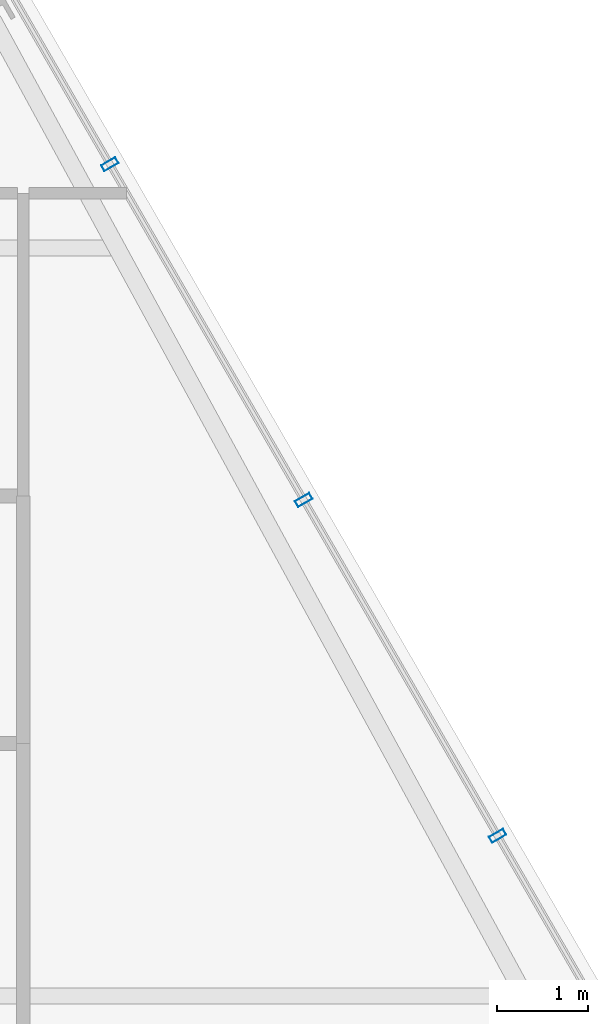
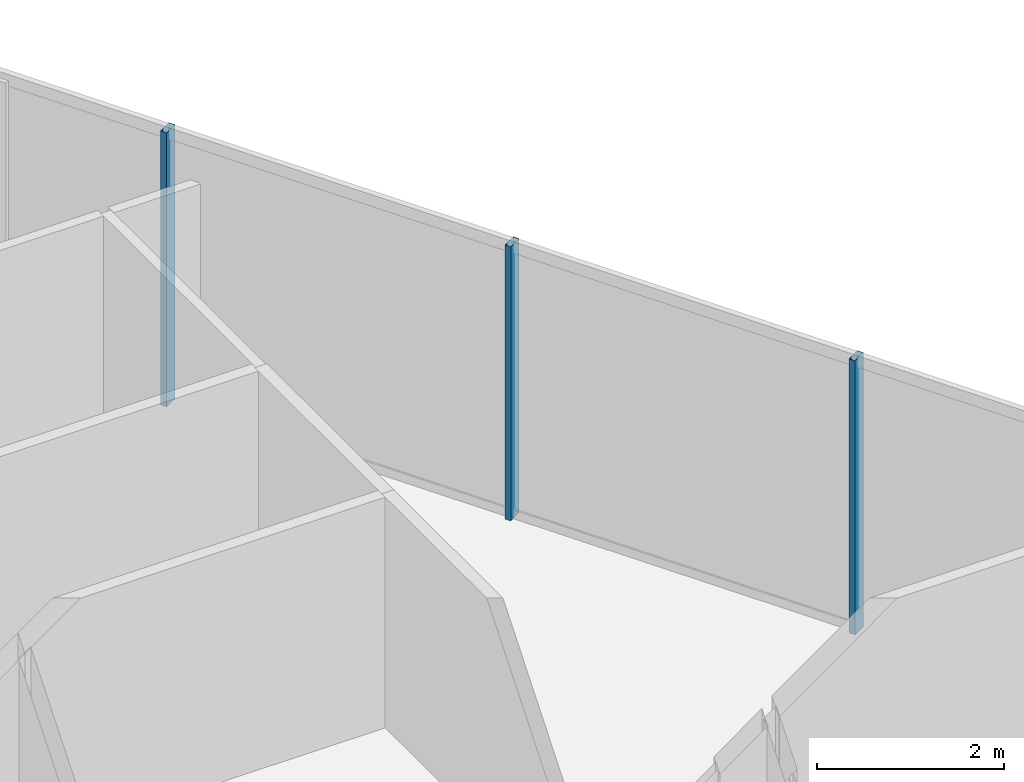
# One storey, part 17 of 34: 3 members, 1 element without a shape of its own.
"""IFC4 building model written with IfcOpenShell, lengths in metres."""

from ifc_helpers import new_model, si_unit, direction, frame, origin, origin_2d, place, context, subcontext, project, spatial, hollow_rectangle, extrude, material, layer, layer_set, material_profile, profile_set, type_object, element, aggregate, save


model = new_model("IFC4")

# Units and contexts
model_context = context("Model", 3, precision=1e-05, world=origin(), true_north=direction((0.0, 1.0)))
body_context = subcontext(model_context, "Body", "Model", "MODEL_VIEW")
ifc_project = project(units=[si_unit("LENGTHUNIT", "METRE"), si_unit("AREAUNIT", "SQUARE_METRE"), si_unit("VOLUMEUNIT", "CUBIC_METRE"), si_unit("PLANEANGLEUNIT", "RADIAN"), si_unit("MASSUNIT", "GRAM", prefix="KILO")], contexts=[model_context])

# Site, building, storey
site_placement = place(None, origin())
site = spatial("IfcSite", under=ifc_project, at=site_placement, CompositionType="ELEMENT")
building_placement = place(site_placement, origin())
building = spatial("IfcBuilding", under=site, at=building_placement, Name="Ndaravel Arena Tower", CompositionType="ELEMENT")
storey_placement = place(building_placement, frame((0.0, 0.0, 195.39990234375)))
storey = spatial("IfcBuildingStorey", under=building, at=storey_placement, Name="L47", CompositionType="ELEMENT", Elevation=195.39990234375)

# Curtain wall, members
ifc_material_1 = material(Name="Aluminium", Category="aluminium")
ifc_layer = layer(ifc_material_1, 0.179931640625)
ifc_layer_set = layer_set([ifc_layer], Name="Aluminium")
curtain_wall_type = type_object("IfcCurtainWallType", Name="CW-SYS-03", PredefinedType="NOTDEFINED", material=ifc_layer_set)
curtain_wall_placement = place(storey_placement, origin())
curtain_wall = element("IfcCurtainWall", 1, at=curtain_wall_placement, inside=storey, type_object=curtain_wall_type, Name="L47 Faceted Crystal Curtain Wall CW-L47-E03", PredefinedType="NOTDEFINED")
ifc_material_2 = material(Name="Aluminium", Category="aluminium")
ifc_material_profile = material_profile(ifc_material_2, hollow_rectangle(XDim=0.074951171875, YDim=0.179931640625, WallThickness=0.00390625, at=origin_2d()), Name="CW MULLION 75x180x4")
ifc_profile_set = profile_set([ifc_material_profile], Name="Aluminium")
member_type = type_object("IfcMemberType", Name="MEM-CW-MUL180", PredefinedType="MULLION", material=ifc_profile_set)
member_1_placement = place(storey_placement, frame((61.40087890625, 20.356689453125, 0.0), z_axis=(0.0, 0.0, 1.0), x_axis=(-0.5, 0.866025403784, 0.0)))
member_1 = element("IfcMember", 2, at=member_1_placement, type_object=member_type, Name="CW-L47-E03 Mullion 02", PredefinedType="MULLION", context=body_context, shape_type="SweptSolid", body=[
    extrude(hollow_rectangle(XDim=0.074951171875, YDim=0.179931640625, WallThickness=0.00390625, at=origin_2d()), origin(), (0.0, 0.0, 1.0), 3.580078125),
])
member_2_placement = place(storey_placement, frame((59.275390625, 24.0380859375, 0.0), z_axis=(0.0, 0.0, 1.0), x_axis=(-0.5, 0.866025403784, 0.0)))
member_2 = element("IfcMember", 3, at=member_2_placement, type_object=member_type, Name="CW-L47-E03 Mullion 03", PredefinedType="MULLION", context=body_context, shape_type="SweptSolid", body=[
    extrude(hollow_rectangle(XDim=0.074951171875, YDim=0.179931640625, WallThickness=0.00390625, at=origin_2d()), origin(), (0.0, 0.0, 1.0), 3.580078125),
])
member_3_placement = place(storey_placement, frame((57.150146484375, 27.719482421875, 0.0), z_axis=(0.0, 0.0, 1.0), x_axis=(-0.5, 0.866025403784, 0.0)))
member_3 = element("IfcMember", 4, at=member_3_placement, type_object=member_type, Name="CW-L47-E03 Mullion 04", PredefinedType="MULLION", context=body_context, shape_type="SweptSolid", body=[
    extrude(hollow_rectangle(XDim=0.074951171875, YDim=0.179931640625, WallThickness=0.00390625, at=origin_2d()), origin(), (0.0, 0.0, 1.0), 3.580078125),
])
aggregate(curtain_wall, [member_1, member_2, member_3])

save(model, "model.ifc")
